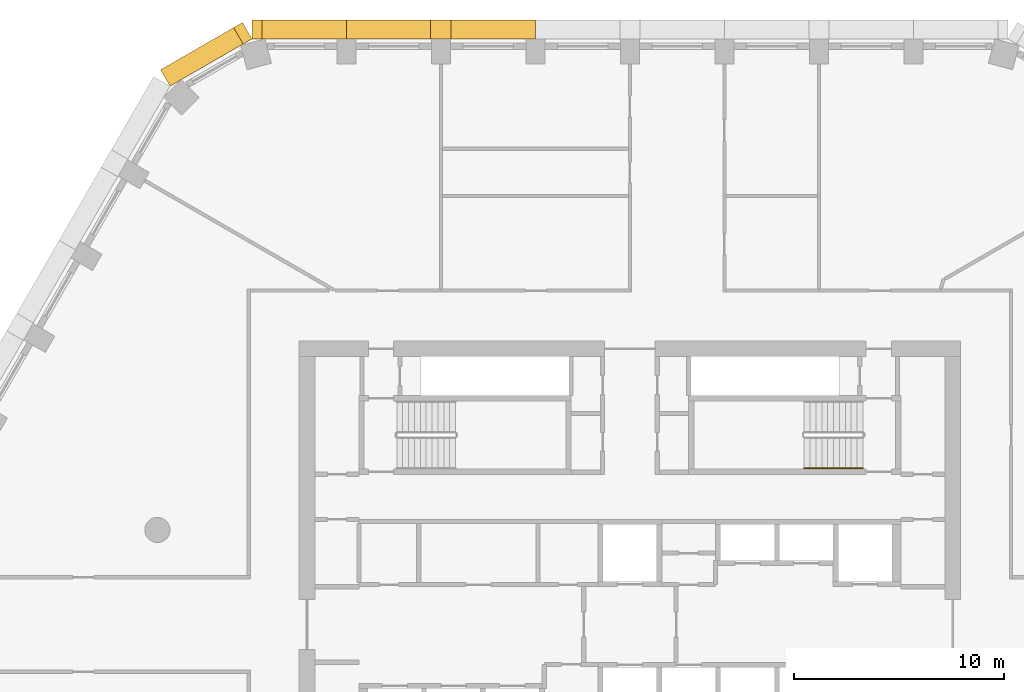
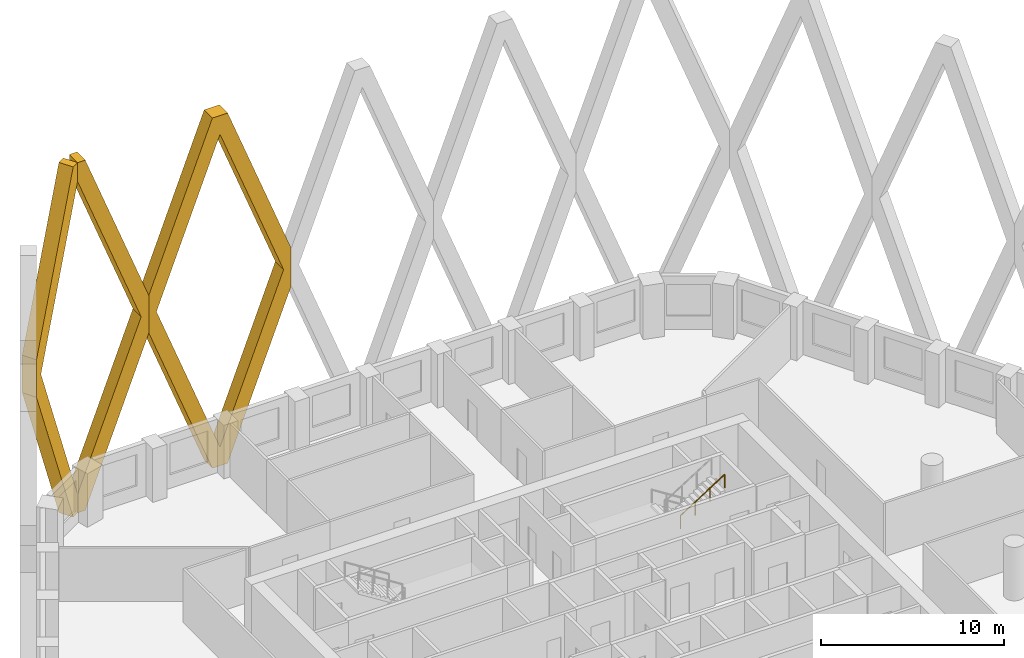
# One storey, part 15 of 17: 3 coverings, 1 railing.
"""IFC4 building model written with IfcOpenShell, lengths in metres."""

from ifc_helpers import new_model, si_unit, direction, frame, origin, origin_2d, place, context, subcontext, project, spatial, polyline, circle, outline, extrude, material, type_object, element, save


model = new_model("IFC4")

# Units and contexts
model_context = context("Model", 3, precision=1e-05, world=origin(), true_north=direction((0.0, 1.0)))
body_context = subcontext(model_context, "Body", "Model", "MODEL_VIEW")
ifc_project = project(units=[si_unit("LENGTHUNIT", "METRE"), si_unit("AREAUNIT", "SQUARE_METRE"), si_unit("VOLUMEUNIT", "CUBIC_METRE"), si_unit("PLANEANGLEUNIT", "RADIAN"), si_unit("MASSUNIT", "GRAM", prefix="KILO")], contexts=[model_context])

# Site, building, storey
site_placement = place(None, origin())
site = spatial("IfcSite", under=ifc_project, at=site_placement, CompositionType="ELEMENT")
building_placement = place(site_placement, origin())
building = spatial("IfcBuilding", under=site, at=building_placement, Name="Dhurran Vertical Campus", CompositionType="ELEMENT")
storey_placement = place(building_placement, frame((0.0, 0.0, 156.0)))
storey = spatial("IfcBuildingStorey", under=building, at=storey_placement, Name="L38", CompositionType="ELEMENT", Elevation=156.0)

# Coverings
ifc_material_1 = material(Name="Precast concrete C50/60", Category="concrete")
covering_type = type_object("IfcCoveringType", Name="Folded precast fin lattice diamond", PredefinedType="USERDEFINED", material=ifc_material_1)
covering_1_placement = place(storey_placement, frame((-4.5, 27.8828125, 0.0), z_axis=(0.0, 1.0, 0.0), x_axis=(-1.0, 0.0, 0.0)))
element("IfcCovering", 1, at=covering_1_placement, inside=storey, type_object=covering_type, Name="FN1 L38.018", ObjectType="FIN", PredefinedType="USERDEFINED", context=body_context, shape_type="SweptSolid", body=[
    extrude(outline(polyline([(9.0, 12.95361328125), (9.0, 10.4462890625), (4.982177734375, 0.0), (4.017822265625, 0.0), (0.0, 10.4462890625), (0.0, 12.95361328125), (4.017822265625, 23.39990234375), (4.982177734375, 23.39990234375), (9.0, 12.95361328125)]), holes=[polyline([(8.517822265625, 11.699951171875), (4.5, 22.146484375), (0.482177734375, 11.699951171875), (4.5, 1.253662109375), (8.517822265625, 11.699951171875)])]), origin(), (0.0, 0.0, 1.0), 0.89990234375),
])
covering_2_placement = place(storey_placement, frame((-13.5, 27.8828125, 0.0), z_axis=(0.0, 1.0, 0.0), x_axis=(-1.0, 0.0, 0.0)))
element("IfcCovering", 2, at=covering_2_placement, inside=storey, type_object=covering_type, Name="FN1 L38.019", ObjectType="FIN", PredefinedType="USERDEFINED", context=body_context, shape_type="SweptSolid", body=[
    extrude(outline(polyline([(4.017822265625, 0.0), (0.0, 10.4462890625), (0.0, 12.95361328125), (4.017822265625, 23.39990234375), (4.5, 23.39990234375), (4.5, 22.146484375), (0.482177734375, 11.699951171875), (4.5, 1.253662109375), (4.5, 0.0), (4.017822265625, 0.0)])), origin(), (0.0, 0.0, 1.0), 0.89990234375),
])
covering_3_placement = place(storey_placement, frame((-18.0, 27.8828125, 0.0), z_axis=(-0.50001992892, 0.866013897511, 0.0), x_axis=(-0.866013897511, -0.50001992892, 0.0)))
element("IfcCovering", 3, at=covering_3_placement, inside=storey, type_object=covering_type, Name="FN1 L38.020", ObjectType="FIN", PredefinedType="USERDEFINED", context=body_context, shape_type="SweptSolid", body=[
    extrude(outline(polyline([(4.5, 10.4462890625), (0.482177734375, 0.0), (0.0, 0.0), (0.0, 1.253662109375), (4.017822265625, 11.699951171875), (0.0, 22.146484375), (0.0, 23.39990234375), (0.482177734375, 23.39990234375), (4.5, 12.95361328125), (4.5, 10.4462890625)])), origin(), (0.0, 0.0, 1.0), 0.89990234375),
])

# Railing
ifc_material_2 = material(Name="Stainless steel handrail", Category="steel")
railing_type = type_object("IfcRailingType", Name="co-RL-HANDRAIL-900", PredefinedType="HANDRAIL", material=ifc_material_2)
railing_placement = place(storey_placement, frame((8.300048828125, 7.449951171875, 2.127197265625)))
element("IfcRailing", 4, at=railing_placement, inside=storey, type_object=railing_type, Name="L38 ST2 stair handrail 2", PredefinedType="HANDRAIL", context=body_context, shape_type="SweptSolid", body=[
    extrude(circle(Radius=0.02392578125, at=origin_2d()), frame((0.0, 0.0, 0.8759765625), z_axis=(0.844908973607, 0.0, 0.534910110503), x_axis=(0.0, 1.0, 0.0)), (0.0, 0.0, 1.0), 3.31396484375),
    extrude(circle(Radius=0.02099609375, at=origin_2d()), origin(), (0.0, 0.0, 1.0), 0.851806640625),
    extrude(circle(Radius=0.02099609375, at=origin_2d()), frame((0.933349609375, 0.0, 0.5908203125)), (0.0, 0.0, 1.0), 0.851806640625),
    extrude(circle(Radius=0.02099609375, at=origin_2d()), frame((1.86669921875, 0.0, 1.181884765625)), (0.0, 0.0, 1.0), 0.851806640625),
    extrude(circle(Radius=0.02099609375, at=origin_2d()), frame((2.800048828125, 0.0, 1.772705078125)), (0.0, 0.0, 1.0), 0.851806640625),
])

save(model, "model.ifc")
